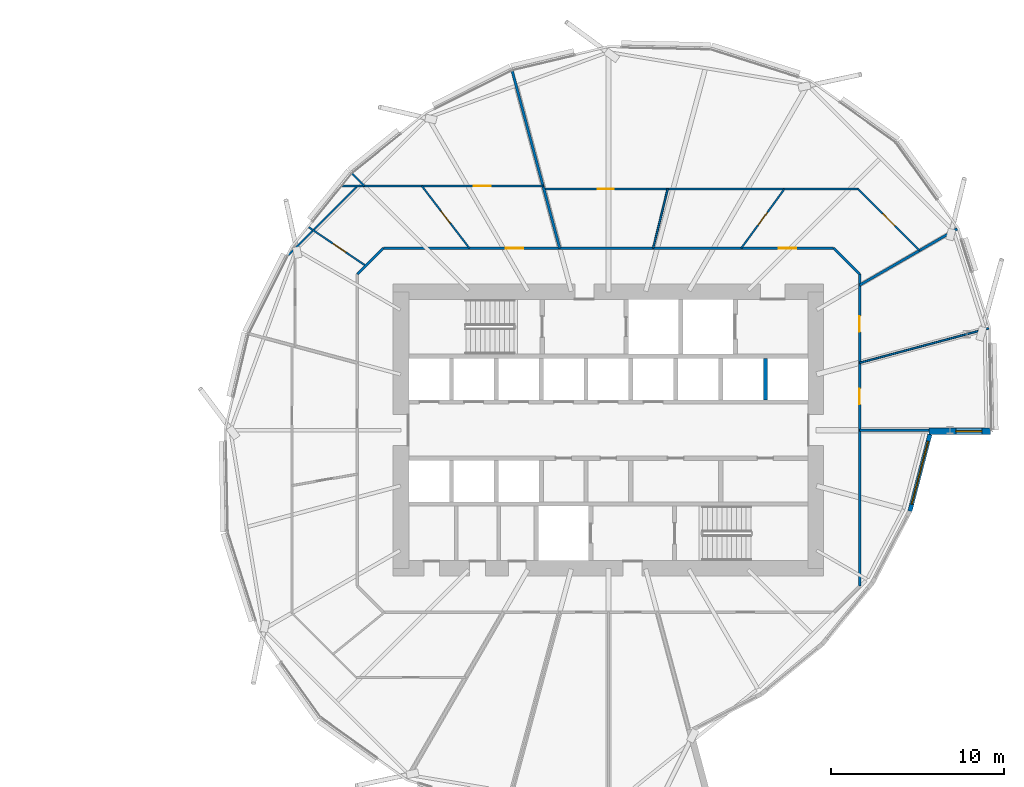
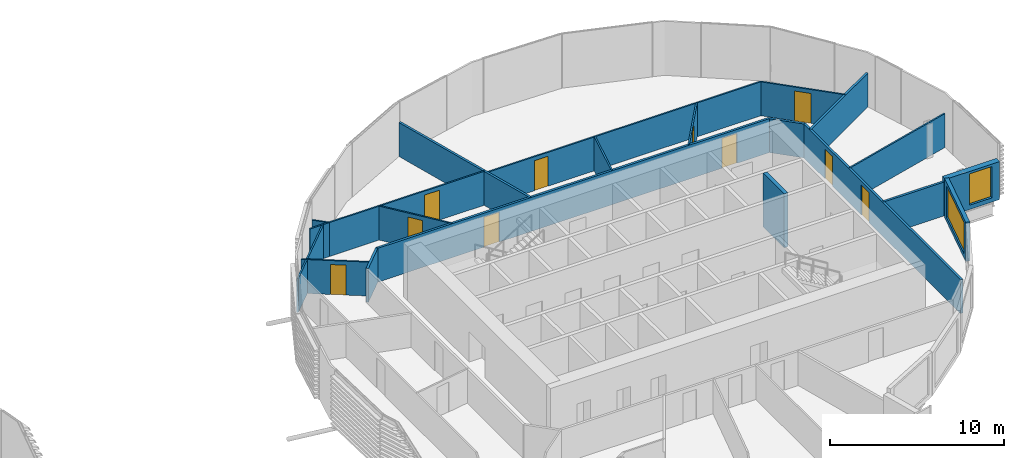
# One storey, part 25 of 38: 21 walls, 10 doors, 2 windows, 12 openings.
"""IFC4 building model written with IfcOpenShell, lengths in metres."""

from ifc_helpers import new_model, si_unit, direction, frame, frame_2d, origin, place, context, subcontext, project, spatial, rectangle, extrude, material, layer, layer_set, type_object, element, fill, save


model = new_model("IFC4")

# Units and contexts
model_context = context("Model", 3, precision=1e-05, world=origin(), true_north=direction((0.0, 1.0)))
body_context = subcontext(model_context, "Body", "Model", "MODEL_VIEW")
ifc_project = project(units=[si_unit("LENGTHUNIT", "METRE"), si_unit("AREAUNIT", "SQUARE_METRE"), si_unit("VOLUMEUNIT", "CUBIC_METRE"), si_unit("PLANEANGLEUNIT", "RADIAN"), si_unit("MASSUNIT", "GRAM", prefix="KILO")], contexts=[model_context])

# Site, building, storey
site_placement = place(None, origin())
site = spatial("IfcSite", under=ifc_project, at=site_placement, CompositionType="ELEMENT")
building_placement = place(site_placement, origin())
building = spatial("IfcBuilding", under=site, at=building_placement, Name="Rimbun Link Towers", CompositionType="ELEMENT")
storey_placement = place(building_placement, frame((0.0, 0.0, 71.800048828125)))
storey = spatial("IfcBuildingStorey", under=building, at=storey_placement, Name="L17", CompositionType="ELEMENT", Elevation=71.800048828125)

# Wall, opening, window
ifc_material_1 = material(Name="Dark enamelled glass spandrel on insulated aluminium backpan", Category="aluminium")
ifc_layer_1 = layer(ifc_material_1, 0.25)
ifc_layer_set_1 = layer_set([ifc_layer_1], Name="CS dark enamelled spandrel wall 250")
wall_type_1 = type_object("IfcWallType", Name="CS dark enamelled spandrel wall 250", PredefinedType="STANDARD", material=ifc_layer_set_1)
wall_1_placement = place(storey_placement, frame((50.343017578125, -0.25, 0.0), z_axis=(0.0, 0.0, 1.0), x_axis=(-0.252335175564, -0.967639891268, 0.0)))
wall_1 = element("IfcWall", 1, at=wall_1_placement, inside=storey, type_object=wall_type_1, Name="Crease spandrel wall", PredefinedType="STANDARD", context=body_context, shape_type="SweptSolid", body=[
    extrude(rectangle(XDim=4.584228515625, YDim=0.25, at=frame_2d((2.2919921875, 0.0))), origin(), (0.0, 0.0, 1.0), 2.749267578125),
])
opening_1_placement = place(wall_1_placement, frame((0.4169921875, 0.0, 0.300048828125)))
opening_1 = element("IfcOpeningElement", 2, at=opening_1_placement, cuts=wall_1, Name="Opening WR38H220", PredefinedType="OPENING", context=body_context, shape_type="SweptSolid", body=[
    extrude(rectangle(XDim=3.75, YDim=2.199951171875, at=frame_2d((1.875, 1.10009765625))), frame((0.0, 0.135009765625, 0.0), z_axis=(0.0, -1.0, 0.0), x_axis=(1.0, 0.0, 0.0)), (0.0, 0.0, 1.0), 0.27001953125),
])
ifc_material_2 = material(Name="Aluminium framed fixed window, dark tinted low-e glass", Category="aluminium")
window_type_1 = type_object("IfcWindowType", Name="WR ribbon window 3750X2200", PartitioningType="SINGLE_PANEL", PredefinedType="WINDOW", material=ifc_material_2)
window_1_placement = place(opening_1_placement, origin())
window_1 = element("IfcWindow", 3, at=window_1_placement, inside=storey, type_object=window_type_1, Name="Crease ribbon window", OverallHeight=2.199951171875, OverallWidth=3.75, PartitioningType="SINGLE_PANEL", PredefinedType="WINDOW", context=body_context, shape_type="SweptSolid", body=[
    extrude(rectangle(XDim=3.75, YDim=2.199951171875, at=frame_2d((1.875, 1.10009765625))), frame((0.0, 0.030029296875, 0.0), z_axis=(0.0, -1.0, 0.0), x_axis=(1.0, 0.0, 0.0)), (0.0, 0.0, 1.0), 0.06005859375),
])
fill(opening_1, window_1)

ifc_material_3 = material(Name="Dark enamelled glass spandrel on insulated aluminium backpan", Category="aluminium")
ifc_layer_2 = layer(ifc_material_3, 0.3701171875)
ifc_layer_set_2 = layer_set([ifc_layer_2], Name="CS dark enamelled spandrel wall 370")
wall_type_2 = type_object("IfcWallType", Name="CS dark enamelled spandrel wall 370", PredefinedType="STANDARD", material=ifc_layer_set_2)
wall_2_placement = place(storey_placement, frame((53.85888671875, -0.06494140625, 0.0), z_axis=(0.0, 0.0, 1.0), x_axis=(-1.0, 0.0, 0.0)))
wall_2 = element("IfcWall", 4, at=wall_2_placement, inside=storey, type_object=wall_type_2, Name="Crease spandrel wall", PredefinedType="STANDARD", context=body_context, shape_type="SweptSolid", body=[
    extrude(rectangle(XDim=3.579833984375, YDim=0.3701171875, at=frame_2d((1.7900390625, 0.0))), origin(), (0.0, 0.0, 1.0), 2.671630859375),
])
opening_2_placement = place(wall_2_placement, frame((0.510498046875, 0.0, 0.300048828125)))
opening_2 = element("IfcOpeningElement", 5, at=opening_2_placement, cuts=wall_2, Name="Opening WR15H220", PredefinedType="OPENING", context=body_context, shape_type="SweptSolid", body=[
    extrude(rectangle(XDim=1.5, YDim=2.199951171875, at=frame_2d((0.75, 1.10009765625))), frame((0.0, 0.195068359375, 0.0), z_axis=(0.0, -1.0, 0.0), x_axis=(1.0, 0.0, 0.0)), (0.0, 0.0, 1.0), 0.39013671875),
])
ifc_material_4 = material(Name="Aluminium framed fixed window, dark tinted low-e glass", Category="aluminium")
window_type_2 = type_object("IfcWindowType", Name="WR ribbon window 1500X2200", PartitioningType="SINGLE_PANEL", PredefinedType="WINDOW", material=ifc_material_4)
window_2_placement = place(opening_2_placement, origin())
window_2 = element("IfcWindow", 6, at=window_2_placement, inside=storey, type_object=window_type_2, Name="Crease ribbon window", OverallHeight=2.199951171875, OverallWidth=1.5, PartitioningType="SINGLE_PANEL", PredefinedType="WINDOW", context=body_context, shape_type="SweptSolid", body=[
    extrude(rectangle(XDim=1.5, YDim=2.199951171875, at=frame_2d((0.75, 1.10009765625))), frame((0.0, 0.030029296875, 0.0), z_axis=(0.0, -1.0, 0.0), x_axis=(1.0, 0.0, 0.0)), (0.0, 0.0, 1.0), 0.06005859375),
])
fill(opening_2, window_2)

# Wall, openings, doors
ifc_material_5 = material(Name="Plasterboard on steel stud, mineral wool", Category="steel")
ifc_layer_3 = layer(ifc_material_5, 0.14990234375)
ifc_layer_set_3 = layer_set([ifc_layer_3], Name="Corridor wall EI 30 150 mm")
wall_type_3 = type_object("IfcWallType", Name="Corridor wall EI 30 150 mm", PredefinedType="PARTITIONING", material=ifc_layer_set_3)
wall_3_placement = place(storey_placement, frame((18.723388671875, 10.52490234375, 0.0), z_axis=(0.0, 0.0, 1.0), x_axis=(1.0, 0.0, 0.0)))
wall_3 = element("IfcWall", 7, at=wall_3_placement, inside=storey, type_object=wall_type_3, Name="Corridor wall EI 30 150 mm", PredefinedType="PARTITIONING", context=body_context, shape_type="SweptSolid", body=[
    extrude(rectangle(XDim=26.05322265625, YDim=0.14990234375, at=frame_2d((13.026611328125, 0.0))), origin(), (0.0, 0.0, 1.0), 2.3798828125),
])
opening_3_placement = place(wall_3_placement, frame((22.880615234375, 0.0, 0.0)))
opening_3 = element("IfcOpeningElement", 8, at=opening_3_placement, cuts=wall_3, Name="Opening D01", PredefinedType="OPENING", context=body_context, shape_type="SweptSolid", body=[
    extrude(rectangle(XDim=1.0, YDim=2.10009765625, at=frame_2d((0.5, 1.050048828125))), frame((0.0, 0.0849609375, 0.0), z_axis=(0.0, -1.0, 0.0), x_axis=(1.0, 0.0, 0.0)), (0.0, 0.0, 1.0), 0.169921875),
])
opening_4_placement = place(wall_3_placement, frame((7.093994140625, 0.0, 0.0)))
opening_4 = element("IfcOpeningElement", 9, at=opening_4_placement, cuts=wall_3, Name="Opening D01", PredefinedType="OPENING", context=body_context, shape_type="SweptSolid", body=[
    extrude(rectangle(XDim=1.0, YDim=2.10009765625, at=frame_2d((0.5, 1.050048828125))), frame((0.0, 0.0849609375, 0.0), z_axis=(0.0, -1.0, 0.0), x_axis=(1.0, 0.0, 0.0)), (0.0, 0.0, 1.0), 0.169921875),
])
ifc_material_6 = material(Name="Fire-resisting timber door leaf", Category="wood")
door_type_1 = type_object("IfcDoorType", Name="Fire door FD30S 1000", OperationType="NOTDEFINED", PredefinedType="DOOR", material=ifc_material_6)
door_1_placement = place(opening_3_placement, origin())
door_1 = element("IfcDoor", 10, at=door_1_placement, inside=storey, type_object=door_type_1, Name="Fire door FD30S 1000 to Reception", OperationType="SINGLE_SWING_LEFT", OverallHeight=2.10009765625, OverallWidth=1.0, PredefinedType="DOOR", context=body_context, shape_type="SweptSolid", body=[
    extrude(rectangle(XDim=1.0, YDim=2.10009765625, at=frame_2d((0.5, 1.050048828125))), frame((0.0, 0.02490234375, 0.0), z_axis=(0.0, -1.0, 0.0), x_axis=(1.0, 0.0, 0.0)), (0.0, 0.0, 1.0), 0.050048828125),
])
fill(opening_3, door_1)
door_2_placement = place(opening_4_placement, origin())
door_2 = element("IfcDoor", 11, at=door_2_placement, inside=storey, type_object=door_type_1, Name="Fire door FD30S 1000 to Reception", OperationType="SINGLE_SWING_RIGHT", OverallHeight=2.10009765625, OverallWidth=1.0, PredefinedType="DOOR", context=body_context, shape_type="SweptSolid", body=[
    extrude(rectangle(XDim=1.0, YDim=2.10009765625, at=frame_2d((0.5, 1.050048828125))), frame((0.0, 0.02490234375, 0.0), z_axis=(0.0, -1.0, 0.0), x_axis=(1.0, 0.0, 0.0)), (0.0, 0.0, 1.0), 0.050048828125),
])
fill(opening_4, door_2)

# Wall
wall_4_placement = place(storey_placement, frame((46.27490234375, 9.026611328125, 0.0), z_axis=(0.0, 0.0, 1.0), x_axis=(-0.707106781187, 0.707106781187, 0.0)))
element("IfcWall", 12, at=wall_4_placement, inside=storey, type_object=wall_type_3, Name="Corridor wall EI 30 150 mm", PredefinedType="PARTITIONING", context=body_context, shape_type="SweptSolid", body=[
    extrude(rectangle(XDim=2.118896484375, YDim=0.14990234375, at=frame_2d((1.0595703125, 0.0))), origin(), (0.0, 0.0, 1.0), 2.3798828125),
])

# Wall, openings, doors
wall_5_placement = place(storey_placement, frame((46.27490234375, 9.026611328125, 0.0), z_axis=(0.0, 0.0, 1.0), x_axis=(0.0, -1.0, 0.0)))
wall_5 = element("IfcWall", 13, at=wall_5_placement, inside=storey, type_object=wall_type_3, Name="Corridor wall EI 30 150 mm", PredefinedType="PARTITIONING", context=body_context, shape_type="SweptSolid", body=[
    extrude(rectangle(XDim=18.05322265625, YDim=0.14990234375, at=frame_2d((9.026611328125, 0.0))), origin(), (0.0, 0.0, 1.0), 2.3798828125),
])
opening_5_placement = place(wall_5_placement, frame((6.630615234375, 0.0, 0.0)))
opening_5 = element("IfcOpeningElement", 14, at=opening_5_placement, cuts=wall_5, Name="Opening D02", PredefinedType="OPENING", context=body_context, shape_type="SweptSolid", body=[
    extrude(rectangle(XDim=0.89990234375, YDim=2.10009765625, at=frame_2d((0.449951171875, 1.050048828125))), frame((0.0, 0.0849609375, 0.0), z_axis=(0.0, -1.0, 0.0), x_axis=(1.0, 0.0, 0.0)), (0.0, 0.0, 1.0), 0.169921875),
])
opening_6_placement = place(wall_5_placement, frame((2.437744140625, 0.0, 0.0)))
opening_6 = element("IfcOpeningElement", 15, at=opening_6_placement, cuts=wall_5, Name="Opening D02", PredefinedType="OPENING", context=body_context, shape_type="SweptSolid", body=[
    extrude(rectangle(XDim=0.89990234375, YDim=2.10009765625, at=frame_2d((0.449951171875, 1.050048828125))), frame((0.0, 0.0849609375, 0.0), z_axis=(0.0, -1.0, 0.0), x_axis=(1.0, 0.0, 0.0)), (0.0, 0.0, 1.0), 0.169921875),
])
ifc_material_7 = material(Name="Fire-resisting timber door leaf", Category="wood")
door_type_2 = type_object("IfcDoorType", Name="Fire door FD30S 900", OperationType="NOTDEFINED", PredefinedType="DOOR", material=ifc_material_7)
door_3_placement = place(opening_5_placement, origin())
door_3 = element("IfcDoor", 16, at=door_3_placement, inside=storey, type_object=door_type_2, Name="Fire door FD30S 900 to Meeting room", OperationType="SINGLE_SWING_LEFT", OverallHeight=2.10009765625, OverallWidth=0.89990234375, PredefinedType="DOOR", context=body_context, shape_type="SweptSolid", body=[
    extrude(rectangle(XDim=0.89990234375, YDim=2.10009765625, at=frame_2d((0.449951171875, 1.050048828125))), frame((0.0, 0.02490234375, 0.0), z_axis=(0.0, -1.0, 0.0), x_axis=(1.0, 0.0, 0.0)), (0.0, 0.0, 1.0), 0.050048828125),
])
fill(opening_5, door_3)
door_4_placement = place(opening_6_placement, origin())
door_4 = element("IfcDoor", 17, at=door_4_placement, inside=storey, type_object=door_type_2, Name="Fire door FD30S 900 to Meeting room", OperationType="SINGLE_SWING_RIGHT", OverallHeight=2.10009765625, OverallWidth=0.89990234375, PredefinedType="DOOR", context=body_context, shape_type="SweptSolid", body=[
    extrude(rectangle(XDim=0.89990234375, YDim=2.10009765625, at=frame_2d((0.449951171875, 1.050048828125))), frame((0.0, 0.02490234375, 0.0), z_axis=(0.0, -1.0, 0.0), x_axis=(1.0, 0.0, 0.0)), (0.0, 0.0, 1.0), 0.050048828125),
])
fill(opening_6, door_4)

# Walls
wall_6_placement = place(storey_placement, frame((18.723388671875, 10.52490234375, 0.0), z_axis=(0.0, 0.0, 1.0), x_axis=(-0.707106781187, -0.707106781187, 0.0)))
element("IfcWall", 18, at=wall_6_placement, inside=storey, type_object=wall_type_3, Name="Corridor wall EI 30 150 mm", PredefinedType="PARTITIONING", context=body_context, shape_type="SweptSolid", body=[
    extrude(rectangle(XDim=2.118896484375, YDim=0.14990234375, at=frame_2d((1.0595703125, 0.0))), origin(), (0.0, 0.0, 1.0), 2.3798828125),
])
ifc_material_8 = material(Name="Plasterboard on steel stud", Category="steel")
ifc_layer_4 = layer(ifc_material_8, 0.10009765625)
ifc_layer_set_4 = layer_set([ifc_layer_4], Name="Plasterboard partition 100 mm")
wall_type_4 = type_object("IfcWallType", Name="Plasterboard partition 100 mm", PredefinedType="PARTITIONING", material=ifc_layer_set_4)
wall_7_placement = place(storey_placement, frame((53.7548828125, 5.896240234375, 0.0), z_axis=(0.0, 0.0, 1.0), x_axis=(-0.965929194551, -0.25880647425, 0.0)))
element("IfcWall", 19, at=wall_7_placement, inside=storey, type_object=wall_type_4, Name="Plasterboard partition 100 mm", PredefinedType="PARTITIONING", context=body_context, shape_type="SweptSolid", body=[
    extrude(rectangle(XDim=7.743896484375, YDim=0.10009765625, at=frame_2d((3.8720703125, 0.0))), origin(), (0.0, 0.0, 1.0), 2.3798828125),
])

# Wall, opening, door
wall_8_placement = place(storey_placement, frame((39.431396484375, 10.52490234375, 0.0), z_axis=(0.0, 0.0, 1.0), x_axis=(0.589514828759, 0.80775755439, 0.0)))
wall_8 = element("IfcWall", 20, at=wall_8_placement, inside=storey, type_object=wall_type_4, Name="Plasterboard partition 100 mm", PredefinedType="PARTITIONING", context=body_context, shape_type="SweptSolid", body=[
    extrude(rectangle(XDim=4.234130859375, YDim=0.10009765625, at=frame_2d((2.1171875, 0.0))), origin(), (0.0, 0.0, 1.0), 2.3798828125),
])
opening_7_placement = place(wall_8_placement, frame((1.6669921875, 0.0, 0.0)))
opening_7 = element("IfcOpeningElement", 21, at=opening_7_placement, cuts=wall_8, Name="Opening D04", PredefinedType="OPENING", context=body_context, shape_type="SweptSolid", body=[
    extrude(rectangle(XDim=0.89990234375, YDim=2.10009765625, at=frame_2d((0.449951171875, 1.050048828125))), frame((0.0, 0.06005859375, 0.0), z_axis=(0.0, -1.0, 0.0), x_axis=(1.0, 0.0, 0.0)), (0.0, 0.0, 1.0), 0.1201171875),
])
ifc_material_9 = material(Name="Timber door leaf", Category="wood")
door_type_3 = type_object("IfcDoorType", Name="Flush door 900", OperationType="NOTDEFINED", PredefinedType="DOOR", material=ifc_material_9)
door_5_placement = place(opening_7_placement, origin())
door_5 = element("IfcDoor", 22, at=door_5_placement, inside=storey, type_object=door_type_3, Name="Flush door 900 to Meeting room", OperationType="SINGLE_SWING_RIGHT", OverallHeight=2.10009765625, OverallWidth=0.89990234375, PredefinedType="DOOR", context=body_context, shape_type="SweptSolid", body=[
    extrude(rectangle(XDim=0.89990234375, YDim=2.10009765625, at=frame_2d((0.449951171875, 1.050048828125))), frame((0.0, 0.02490234375, 0.0), z_axis=(0.0, -1.0, 0.0), x_axis=(1.0, 0.0, 0.0)), (0.0, 0.0, 1.0), 0.050048828125),
])
fill(opening_7, door_5)

wall_9_placement = place(storey_placement, frame((46.193359375, 13.945068359375, 0.0), z_axis=(0.0, 0.0, 1.0), x_axis=(0.707106781187, -0.707106781187, 0.0)))
wall_9 = element("IfcWall", 23, at=wall_9_placement, inside=storey, type_object=wall_type_4, Name="Plasterboard partition 100 mm", PredefinedType="PARTITIONING", context=body_context, shape_type="SweptSolid", body=[
    extrude(rectangle(XDim=5.0263671875, YDim=0.10009765625, at=frame_2d((2.51318359375, 0.0))), origin(), (0.0, 0.0, 1.0), 2.3798828125),
])
opening_8_placement = place(wall_9_placement, frame((2.01318359375, 0.0, 0.0)))
opening_8 = element("IfcOpeningElement", 24, at=opening_8_placement, cuts=wall_9, Name="Opening D03", PredefinedType="OPENING", context=body_context, shape_type="SweptSolid", body=[
    extrude(rectangle(XDim=1.0, YDim=2.10009765625, at=frame_2d((0.5, 1.050048828125))), frame((0.0, 0.06005859375, 0.0), z_axis=(0.0, -1.0, 0.0), x_axis=(1.0, 0.0, 0.0)), (0.0, 0.0, 1.0), 0.1201171875),
])
ifc_material_10 = material(Name="Timber door leaf", Category="wood")
door_type_4 = type_object("IfcDoorType", Name="Flush door 1000", OperationType="NOTDEFINED", PredefinedType="DOOR", material=ifc_material_10)
door_6_placement = place(opening_8_placement, origin())
door_6 = element("IfcDoor", 25, at=door_6_placement, inside=storey, type_object=door_type_4, Name="Flush door 1000 to Open office", OperationType="SINGLE_SWING_LEFT", OverallHeight=2.10009765625, OverallWidth=1.0, PredefinedType="DOOR", context=body_context, shape_type="SweptSolid", body=[
    extrude(rectangle(XDim=1.0, YDim=2.10009765625, at=frame_2d((0.5, 1.050048828125))), frame((0.0, 0.02490234375, 0.0), z_axis=(0.0, -1.0, 0.0), x_axis=(1.0, 0.0, 0.0)), (0.0, 0.0, 1.0), 0.050048828125),
])
fill(opening_8, door_6)

wall_10_placement = place(storey_placement, frame((46.193359375, 13.945068359375, 0.0), z_axis=(0.0, 0.0, 1.0), x_axis=(-1.0, 0.0, 0.0)))
wall_10 = element("IfcWall", 26, at=wall_10_placement, inside=storey, type_object=wall_type_4, Name="Plasterboard partition 100 mm", PredefinedType="PARTITIONING", context=body_context, shape_type="SweptSolid", body=[
    extrude(rectangle(XDim=18.179931640625, YDim=0.10009765625, at=frame_2d((9.08984375, 0.0))), origin(), (0.0, 0.0, 1.0), 2.3798828125),
])
opening_9_placement = place(wall_10_placement, frame((14.1494140625, 0.0, 0.0)))
opening_9 = element("IfcOpeningElement", 27, at=opening_9_placement, cuts=wall_10, Name="Opening D04", PredefinedType="OPENING", context=body_context, shape_type="SweptSolid", body=[
    extrude(rectangle(XDim=0.89990234375, YDim=2.10009765625, at=frame_2d((0.449951171875, 1.050048828125))), frame((0.0, 0.06005859375, 0.0), z_axis=(0.0, -1.0, 0.0), x_axis=(1.0, 0.0, 0.0)), (0.0, 0.0, 1.0), 0.1201171875),
])
door_7_placement = place(opening_9_placement, origin())
door_7 = element("IfcDoor", 28, at=door_7_placement, inside=storey, type_object=door_type_3, Name="Flush door 900 to Print room", OperationType="SINGLE_SWING_RIGHT", OverallHeight=2.10009765625, OverallWidth=0.89990234375, PredefinedType="DOOR", context=body_context, shape_type="SweptSolid", body=[
    extrude(rectangle(XDim=0.89990234375, YDim=2.10009765625, at=frame_2d((0.449951171875, 1.050048828125))), frame((0.0, 0.02490234375, 0.0), z_axis=(0.0, -1.0, 0.0), x_axis=(1.0, 0.0, 0.0)), (0.0, 0.0, 1.0), 0.050048828125),
])
fill(opening_9, door_7)

# Wall
wall_11_placement = place(storey_placement, frame((35.17431640625, 13.945068359375, 0.0), z_axis=(0.0, 0.0, 1.0), x_axis=(-0.238406590273, -0.971165432722, 0.0)))
element("IfcWall", 29, at=wall_11_placement, inside=storey, type_object=wall_type_4, Name="Plasterboard partition 100 mm", PredefinedType="PARTITIONING", context=body_context, shape_type="SweptSolid", body=[
    extrude(rectangle(XDim=3.521728515625, YDim=0.10009765625, at=frame_2d((1.7607421875, 0.0))), origin(), (0.0, 0.0, 1.0), 2.3798828125),
])

# Wall, opening, door
wall_12_placement = place(storey_placement, frame((23.704833984375, 10.52490234375, 0.0), z_axis=(0.0, 0.0, 1.0), x_axis=(-0.607268103585, 0.794496979458, 0.0)))
wall_12 = element("IfcWall", 30, at=wall_12_placement, inside=storey, type_object=wall_type_4, Name="Plasterboard partition 100 mm", PredefinedType="PARTITIONING", context=body_context, shape_type="SweptSolid", body=[
    extrude(rectangle(XDim=4.53125, YDim=0.10009765625, at=frame_2d((2.265625, 0.0))), origin(), (0.0, 0.0, 1.0), 2.3798828125),
])
opening_10_placement = place(wall_12_placement, frame((1.815673828125, 0.0, 0.0)))
opening_10 = element("IfcOpeningElement", 31, at=opening_10_placement, cuts=wall_12, Name="Opening D04", PredefinedType="OPENING", context=body_context, shape_type="SweptSolid", body=[
    extrude(rectangle(XDim=0.89990234375, YDim=2.10009765625, at=frame_2d((0.449951171875, 1.050048828125))), frame((0.0, 0.06005859375, 0.0), z_axis=(0.0, -1.0, 0.0), x_axis=(1.0, 0.0, 0.0)), (0.0, 0.0, 1.0), 0.1201171875),
])
door_8_placement = place(opening_10_placement, origin())
door_8 = element("IfcDoor", 32, at=door_8_placement, inside=storey, type_object=door_type_3, Name="Flush door 900 to Meeting room", OperationType="SINGLE_SWING_RIGHT", OverallHeight=2.10009765625, OverallWidth=0.89990234375, PredefinedType="DOOR", context=body_context, shape_type="SweptSolid", body=[
    extrude(rectangle(XDim=0.89990234375, YDim=2.10009765625, at=frame_2d((0.449951171875, 1.050048828125))), frame((0.0, 0.02490234375, 0.0), z_axis=(0.0, -1.0, 0.0), x_axis=(1.0, 0.0, 0.0)), (0.0, 0.0, 1.0), 0.050048828125),
])
fill(opening_10, door_8)

wall_13_placement = place(storey_placement, frame((17.625, 14.125, 0.0), z_axis=(0.0, 0.0, 1.0), x_axis=(1.0, 0.0, 0.0)))
wall_13 = element("IfcWall", 33, at=wall_13_placement, inside=storey, type_object=wall_type_4, Name="Plasterboard partition 100 mm", PredefinedType="PARTITIONING", context=body_context, shape_type="SweptSolid", body=[
    extrude(rectangle(XDim=10.340087890625, YDim=0.10009765625, at=frame_2d((5.169921875, 0.0))), origin(), (0.0, 0.0, 1.0), 2.3798828125),
])
opening_11_placement = place(wall_13_placement, frame((6.319091796875, 0.0, 0.0)))
opening_11 = element("IfcOpeningElement", 34, at=opening_11_placement, cuts=wall_13, Name="Opening D03", PredefinedType="OPENING", context=body_context, shape_type="SweptSolid", body=[
    extrude(rectangle(XDim=1.0, YDim=2.10009765625, at=frame_2d((0.5, 1.050048828125))), frame((0.0, 0.06005859375, 0.0), z_axis=(0.0, -1.0, 0.0), x_axis=(1.0, 0.0, 0.0)), (0.0, 0.0, 1.0), 0.1201171875),
])
door_9_placement = place(opening_11_placement, origin())
door_9 = element("IfcDoor", 35, at=door_9_placement, inside=storey, type_object=door_type_4, Name="Flush door 1000 to Co-working space", OperationType="SINGLE_SWING_LEFT", OverallHeight=2.10009765625, OverallWidth=1.0, PredefinedType="DOOR", context=body_context, shape_type="SweptSolid", body=[
    extrude(rectangle(XDim=1.0, YDim=2.10009765625, at=frame_2d((0.5, 1.050048828125))), frame((0.0, 0.02490234375, 0.0), z_axis=(0.0, -1.0, 0.0), x_axis=(1.0, 0.0, 0.0)), (0.0, 0.0, 1.0), 0.050048828125),
])
fill(opening_11, door_9)

wall_14_placement = place(storey_placement, frame((17.706787109375, 9.50830078125, 0.0), z_axis=(0.0, 0.0, 1.0), x_axis=(-0.82805052716, 0.560653479851, 0.0)))
wall_14 = element("IfcWall", 36, at=wall_14_placement, inside=storey, type_object=wall_type_4, Name="Plasterboard partition 100 mm", PredefinedType="PARTITIONING", context=body_context, shape_type="SweptSolid", body=[
    extrude(rectangle(XDim=3.99365234375, YDim=0.10009765625, at=frame_2d((1.996826171875, 0.0))), origin(), (0.0, 0.0, 1.0), 2.3798828125),
])
opening_12_placement = place(wall_14_placement, frame((1.383056640625, 0.0, 0.0)))
opening_12 = element("IfcOpeningElement", 37, at=opening_12_placement, cuts=wall_14, Name="Opening D04", PredefinedType="OPENING", context=body_context, shape_type="SweptSolid", body=[
    extrude(rectangle(XDim=0.89990234375, YDim=2.10009765625, at=frame_2d((0.449951171875, 1.050048828125))), frame((0.0, 0.06005859375, 0.0), z_axis=(0.0, -1.0, 0.0), x_axis=(1.0, 0.0, 0.0)), (0.0, 0.0, 1.0), 0.1201171875),
])
door_10_placement = place(opening_12_placement, origin())
door_10 = element("IfcDoor", 38, at=door_10_placement, inside=storey, type_object=door_type_3, Name="Flush door 900 to Pantry", OperationType="SINGLE_SWING_RIGHT", OverallHeight=2.10009765625, OverallWidth=0.89990234375, PredefinedType="DOOR", context=body_context, shape_type="SweptSolid", body=[
    extrude(rectangle(XDim=0.89990234375, YDim=2.10009765625, at=frame_2d((0.449951171875, 1.050048828125))), frame((0.0, 0.02490234375, 0.0), z_axis=(0.0, -1.0, 0.0), x_axis=(1.0, 0.0, 0.0)), (0.0, 0.0, 1.0), 0.050048828125),
])
fill(opening_12, door_10)

# Walls
wall_15_placement = place(storey_placement, frame((13.237548828125, 10.130615234375, 0.0), z_axis=(0.0, 0.0, 1.0), x_axis=(0.707128389718, 0.707085171995, 0.0)))
element("IfcWall", 39, at=wall_15_placement, inside=storey, type_object=wall_type_4, Name="Plasterboard partition 100 mm", PredefinedType="PARTITIONING", context=body_context, shape_type="SweptSolid", body=[
    extrude(rectangle(XDim=5.649169921875, YDim=0.10009765625, at=frame_2d((2.82470703125, 0.0))), origin(), (0.0, 0.0, 1.0), 2.3798828125),
])
wall_16_placement = place(storey_placement, frame((17.625, 14.125, 0.0), z_axis=(0.0, 0.0, 1.0), x_axis=(-1.0, 0.0, 0.0)))
element("IfcWall", 40, at=wall_16_placement, inside=storey, type_object=wall_type_4, Name="Plasterboard partition 100 mm", PredefinedType="PARTITIONING", context=body_context, shape_type="SweptSolid", body=[
    extrude(rectangle(XDim=1.296142578125, YDim=0.10009765625, at=frame_2d((0.64794921875, 0.0))), origin(), (0.0, 0.0, 1.0), 2.3798828125),
])
wall_17_placement = place(storey_placement, frame((16.9169921875, 14.8330078125, 0.0), z_axis=(0.0, 0.0, 1.0), x_axis=(0.707106781187, -0.707106781187, 0.0)))
element("IfcWall", 41, at=wall_17_placement, inside=storey, type_object=wall_type_4, Name="Plasterboard partition 100 mm", PredefinedType="PARTITIONING", context=body_context, shape_type="SweptSolid", body=[
    extrude(rectangle(XDim=1.001220703125, YDim=0.10009765625, at=frame_2d((0.50048828125, 0.0))), origin(), (0.0, 0.0, 1.0), 2.3798828125),
])
ifc_material_11 = material(Name="Concrete C60/75", Category="concrete")
ifc_layer_5 = layer(ifc_material_11, 0.25)
ifc_layer_set_5 = layer_set([ifc_layer_5], Name="Shaft wall 250")
wall_type_5 = type_object("IfcWallType", Name="Shaft wall 250", PredefinedType="SHEAR", material=ifc_layer_set_5)
wall_18_placement = place(storey_placement, frame((40.83056640625, 1.75, 0.0), z_axis=(0.0, 0.0, 1.0), x_axis=(0.0, 1.0, 0.0)))
element("IfcWall", 42, at=wall_18_placement, inside=storey, type_object=wall_type_5, Name="L17 T2 core wall DN7", PredefinedType="SHEAR", context=body_context, shape_type="SweptSolid", body=[
    extrude(rectangle(XDim=2.39990234375, YDim=0.25, at=frame_2d((1.199951171875, 0.0))), origin(), (0.0, 0.0, 1.0), 3.800048828125),
])
ifc_material_12 = material(Name="Plasterboard on steel stud, mineral wool", Category="steel")
ifc_layer_6 = layer(ifc_material_12, 0.14990234375)
ifc_layer_set_6 = layer_set([ifc_layer_6], Name="Tenancy separation wall EI 60 150 mm")
wall_type_6 = type_object("IfcWallType", Name="Tenancy separation wall EI 60 150 mm", PredefinedType="PARTITIONING", material=ifc_layer_set_6)
wall_19_placement = place(storey_placement, frame((28.9296875, 10.52490234375, 0.0), z_axis=(0.0, 0.0, 1.0), x_axis=(-0.25881565151, 0.965926735593, 0.0)))
element("IfcWall", 43, at=wall_19_placement, inside=storey, type_object=wall_type_6, Name="Tenancy separation wall EI 60 150 mm", PredefinedType="PARTITIONING", context=body_context, shape_type="SweptSolid", body=[
    extrude(rectangle(XDim=10.6337890625, YDim=0.14990234375, at=frame_2d((5.31689453125, 0.0))), origin(), (0.0, 0.0, 1.0), 2.3798828125),
])
wall_20_placement = place(storey_placement, frame((46.27490234375, 0.0, 0.0), z_axis=(0.0, 0.0, 1.0), x_axis=(1.0, 0.0, 0.0)))
element("IfcWall", 44, at=wall_20_placement, inside=storey, type_object=wall_type_6, Name="Tenancy separation wall EI 60 150 mm", PredefinedType="PARTITIONING", context=body_context, shape_type="SweptSolid", body=[
    extrude(rectangle(XDim=4.004150390625, YDim=0.14990234375, at=frame_2d((2.001953125, 0.0))), origin(), (0.0, 0.0, 1.0), 2.3798828125),
])
wall_21_placement = place(storey_placement, frame((46.27490234375, 8.385986328125, 0.0), z_axis=(0.0, 0.0, 1.0), x_axis=(0.866037911478, 0.499978335414, 0.0)))
element("IfcWall", 45, at=wall_21_placement, inside=storey, type_object=wall_type_6, Name="Tenancy separation wall EI 60 150 mm", PredefinedType="PARTITIONING", context=body_context, shape_type="SweptSolid", body=[
    extrude(rectangle(XDim=6.524658203125, YDim=0.14990234375, at=frame_2d((3.26220703125, 0.0))), origin(), (0.0, 0.0, 1.0), 2.3798828125),
])

save(model, "model.ifc")
